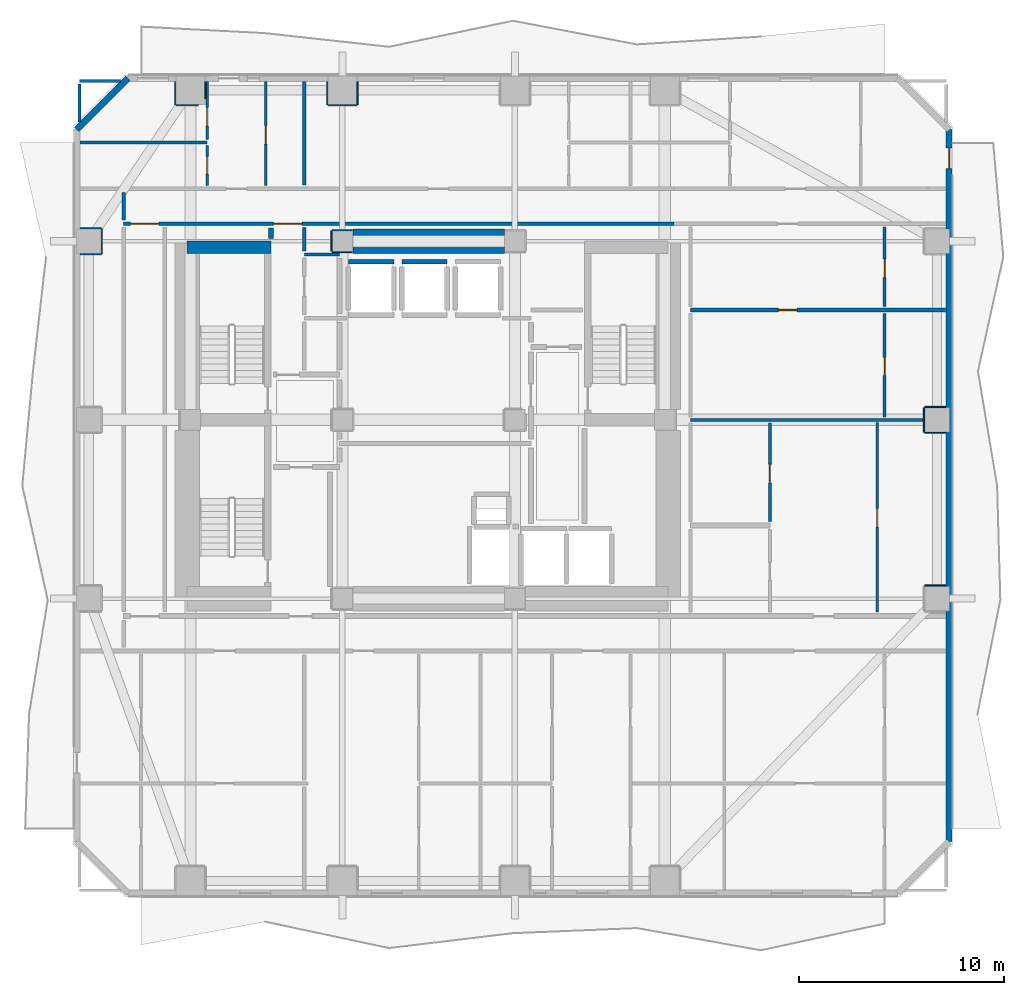
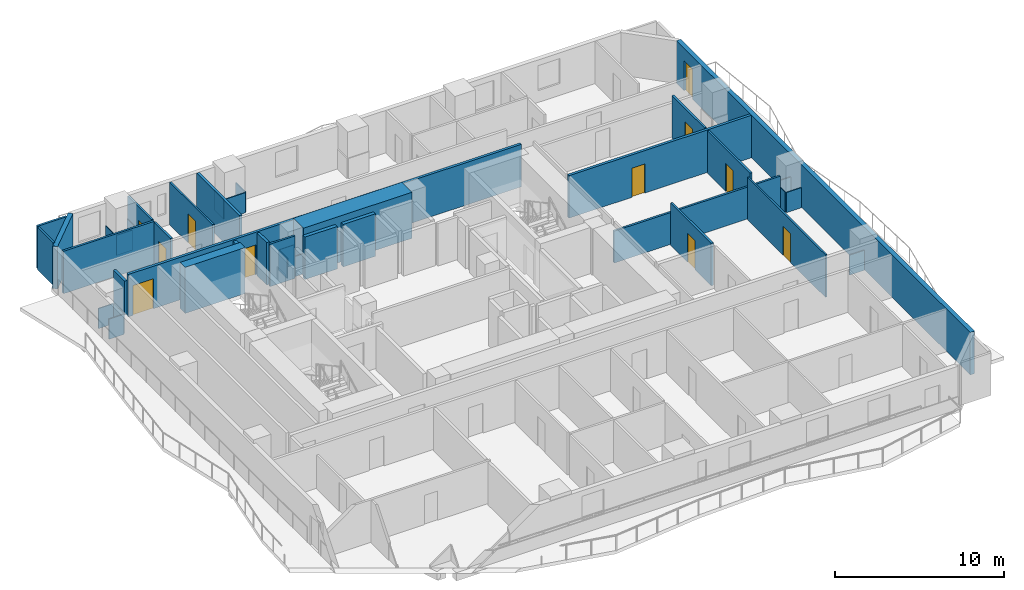
# One storey, part 5 of 10: 40 walls, 11 doors, 11 openings.
"""IFC4 building model written with IfcOpenShell, lengths in metres."""

from ifc_helpers import new_model, si_unit, direction, frame, frame_2d, origin, place, context, subcontext, project, spatial, rectangle, extrude, material, layer, layer_set, type_object, element, fill, save


model = new_model("IFC4")

# Units and contexts
model_context = context("Model", 3, precision=1e-05, world=origin(), true_north=direction((0.0, 1.0)))
body_context = subcontext(model_context, "Body", "Model", "MODEL_VIEW")
ifc_project = project(units=[si_unit("LENGTHUNIT", "METRE"), si_unit("AREAUNIT", "SQUARE_METRE"), si_unit("VOLUMEUNIT", "CUBIC_METRE"), si_unit("PLANEANGLEUNIT", "RADIAN"), si_unit("MASSUNIT", "GRAM", prefix="KILO")], contexts=[model_context])

# Site, building, storey
site_placement = place(None, origin())
site = spatial("IfcSite", under=ifc_project, at=site_placement, CompositionType="ELEMENT")
building_placement = place(site_placement, origin())
building = spatial("IfcBuilding", under=site, at=building_placement, Name="Solanera Arch Residences", CompositionType="ELEMENT")
storey_placement = place(building_placement, frame((0.0, 0.0, 45.239990234375)))
storey = spatial("IfcBuildingStorey", under=building, at=storey_placement, Name="L12", CompositionType="ELEMENT", Elevation=45.239990234375)

# Walls
ifc_material_1 = material(Name="Fire-Rated Gypsum Stud Partition", Category="gypsum")
ifc_layer_1 = layer(ifc_material_1, 0.06005859375)
ifc_layer_set_1 = layer_set([ifc_layer_1], Name="Fire-Rated Gypsum Stud Partition")
wall_type_1 = type_object("IfcWallType", Name="Column Acoustic Furring Wall 60", PredefinedType="PARTITIONING", material=ifc_layer_set_1)
for number, where, z_axis, x_axis, name in (
    (1, (20.300048828125, 38.867919921875, 0.0), (0.0, 0.0, 1.0), (1.0, 0.0, 0.0), "L12 Column Furring 3S"),
    (2, (20.300048828125, 39.931884765625, 0.0), (0.0, 0.0, 1.0), (1.0, 0.0, 0.0), "L12 Column Furring 3N"),
):
    element("IfcWall", number, at=place(storey_placement, frame(where, z_axis=z_axis, x_axis=x_axis)), inside=storey, type_object=wall_type_1, Name=name, PredefinedType="PARTITIONING", context=body_context, shape_type="SweptSolid", body=[
        extrude(rectangle(XDim=0.989990234375, YDim=0.06005859375, at=frame_2d((0.4951171875, 0.0))), origin(), (0.0, 0.0, 1.0), 1.449951171875),
    ])
wall_1_placement = place(storey_placement, frame((20.26806640625, 38.89990234375, 0.0), z_axis=(0.0, 0.0, 1.0), x_axis=(0.0, 1.0, 0.0)))
element("IfcWall", 3, at=wall_1_placement, inside=storey, type_object=wall_type_1, Name="L12 Column Furring 3W", PredefinedType="PARTITIONING", context=body_context, shape_type="SweptSolid", body=[
    extrude(rectangle(XDim=1.0, YDim=0.06005859375, at=frame_2d((0.5, 0.0))), origin(), (0.0, 0.0, 1.0), 1.449951171875),
])
wall_2_placement = place(storey_placement, frame((12.699951171875, 46.01806640625, 0.0), z_axis=(0.0, 0.0, 1.0), x_axis=(1.0, 0.0, 0.0)))
element("IfcWall", 4, at=wall_2_placement, inside=storey, type_object=wall_type_1, Name="L12 Column Furring 10S", PredefinedType="PARTITIONING", context=body_context, shape_type="SweptSolid", body=[
    extrude(rectangle(XDim=1.0859375, YDim=0.06005859375, at=frame_2d((0.54296875, 0.0))), origin(), (0.0, 0.0, 1.0), 1.449951171875),
])
wall_3_placement = place(storey_placement, frame((12.66796875, 46.050048828125, 0.0), z_axis=(0.0, 0.0, 1.0), x_axis=(0.0, 1.0, 0.0)))
element("IfcWall", 5, at=wall_3_placement, inside=storey, type_object=wall_type_1, Name="L12 Column Furring 10W", PredefinedType="PARTITIONING", context=body_context, shape_type="SweptSolid", body=[
    extrude(rectangle(XDim=1.119873046875, YDim=0.06005859375, at=frame_2d((0.56005859375, 0.0))), origin(), (0.0, 0.0, 1.0), 1.449951171875),
])
wall_4_placement = place(storey_placement, frame((14.132080078125, 46.342041015625, 0.0), z_axis=(0.0, 0.0, 1.0), x_axis=(0.0, 1.0, 0.0)))
element("IfcWall", 6, at=wall_4_placement, inside=storey, type_object=wall_type_1, Name="L12 Column Furring 10E", PredefinedType="PARTITIONING", context=body_context, shape_type="SweptSolid", body=[
    extrude(rectangle(XDim=0.827880859375, YDim=0.06005859375, at=frame_2d((0.4140625, 0.0))), origin(), (0.0, 0.0, 1.0), 1.449951171875),
])
wall_5_placement = place(storey_placement, frame((20.10009765625, 46.01806640625, 0.0), z_axis=(0.0, 0.0, 1.0), x_axis=(1.0, 0.0, 0.0)))
element("IfcWall", 7, at=wall_5_placement, inside=storey, type_object=wall_type_1, Name="L12 Column Furring 12S", PredefinedType="PARTITIONING", context=body_context, shape_type="SweptSolid", body=[
    extrude(rectangle(XDim=1.39990234375, YDim=0.06005859375, at=frame_2d((0.699951171875, 0.0))), origin(), (0.0, 0.0, 1.0), 1.449951171875),
])
for number, where, z_axis, x_axis, name in (
    (8, (20.068115234375, 46.050048828125, 0.0), (0.0, 0.0, 1.0), (0.0, 1.0, 0.0), "L12 Column Furring 12W"),
    (9, (21.531982421875, 46.050048828125, 0.0), (0.0, 0.0, 1.0), (0.0, 1.0, 0.0), "L12 Column Furring 12E"),
):
    element("IfcWall", number, at=place(storey_placement, frame(where, z_axis=z_axis, x_axis=x_axis)), inside=storey, type_object=wall_type_1, Name=name, PredefinedType="PARTITIONING", context=body_context, shape_type="SweptSolid", body=[
        extrude(rectangle(XDim=1.119873046875, YDim=0.06005859375, at=frame_2d((0.56005859375, 0.0))), origin(), (0.0, 0.0, 1.0), 1.449951171875),
    ])
for number, where, z_axis, x_axis, name in (
    (10, (49.14990234375, 22.632080078125, 0.0), (0.0, 0.0, 1.0), (1.0, 0.0, 0.0), "L12 Column Furring 18N"),
    (11, (49.14990234375, 30.068115234375, 0.0), (0.0, 0.0, 1.0), (1.0, 0.0, 0.0), "L12 Column Furring 20S"),
    (12, (49.14990234375, 31.33203125, 0.0), (0.0, 0.0, 1.0), (1.0, 0.0, 0.0), "L12 Column Furring 20N"),
):
    element("IfcWall", number, at=place(storey_placement, frame(where, z_axis=z_axis, x_axis=x_axis)), inside=storey, type_object=wall_type_1, Name=name, PredefinedType="PARTITIONING", context=body_context, shape_type="SweptSolid", body=[
        extrude(rectangle(XDim=1.02001953125, YDim=0.06005859375, at=frame_2d((0.510009765625, 0.0))), origin(), (0.0, 0.0, 1.0), 1.449951171875),
    ])
wall_6_placement = place(storey_placement, frame((49.117919921875, 30.10009765625, 0.0), z_axis=(0.0, 0.0, 1.0), x_axis=(0.0, 1.0, 0.0)))
element("IfcWall", 13, at=wall_6_placement, inside=storey, type_object=wall_type_1, Name="L12 Column Furring 20W", PredefinedType="PARTITIONING", context=body_context, shape_type="SweptSolid", body=[
    extrude(rectangle(XDim=1.199951171875, YDim=0.06005859375, at=frame_2d((0.60009765625, 0.0))), origin(), (0.0, 0.0, 1.0), 1.449951171875),
])
for number, where, z_axis, x_axis, name in (
    (14, (8.030029296875, 38.76806640625, 0.0), (0.0, 0.0, 1.0), (1.0, 0.0, 0.0), "L12 Column Furring 21S"),
    (15, (8.030029296875, 40.031982421875, 0.0), (0.0, 0.0, 1.0), (1.0, 0.0, 0.0), "L12 Column Furring 21N"),
):
    element("IfcWall", number, at=place(storey_placement, frame(where, z_axis=z_axis, x_axis=x_axis)), inside=storey, type_object=wall_type_1, Name=name, PredefinedType="PARTITIONING", context=body_context, shape_type="SweptSolid", body=[
        extrude(rectangle(XDim=1.02001953125, YDim=0.06005859375, at=frame_2d((0.510009765625, 0.0))), origin(), (0.0, 0.0, 1.0), 1.449951171875),
    ])
wall_7_placement = place(storey_placement, frame((9.08203125, 38.800048828125, 0.0), z_axis=(0.0, 0.0, 1.0), x_axis=(0.0, 1.0, 0.0)))
element("IfcWall", 16, at=wall_7_placement, inside=storey, type_object=wall_type_1, Name="L12 Column Furring 21E", PredefinedType="PARTITIONING", context=body_context, shape_type="SweptSolid", body=[
    extrude(rectangle(XDim=1.199951171875, YDim=0.06005859375, at=frame_2d((0.60009765625, 0.0))), origin(), (0.0, 0.0, 1.0), 1.449951171875),
])
ifc_material_2 = material(Name="Concrete C55/67 (f'c = 60 MPa)", Category="concrete")
ifc_layer_2 = layer(ifc_material_2, 1.199951171875)
ifc_layer_set_2 = layer_set([ifc_layer_2], Name="Concrete C55/67 (f'c = 60 MPa)")
wall_type_2 = type_object("IfcWallType", Name="Core Shear Wall CW-1200", PredefinedType="SHEAR", material=ifc_layer_set_2)
wall_8_placement = place(storey_placement, frame((21.304931640625, 39.39990234375, 0.0), z_axis=(0.0, 0.0, 1.0), x_axis=(1.0, 0.0, 0.0)))
element("IfcWall", 17, at=wall_8_placement, inside=storey, type_object=wall_type_2, Name="L12 Central North Core Shear Wall", PredefinedType="SHEAR", context=body_context, shape_type="SweptSolid", body=[
    extrude(rectangle(XDim=7.39013671875, YDim=1.199951171875, at=frame_2d((3.695068359375, 0.0))), origin(), (0.0, 0.0, 1.0), 3.320068359375),
])
ifc_material_3 = material(Name="Concrete C40/50 (f'c = 45 MPa)", Category="concrete")
ifc_layer_3 = layer(ifc_material_3, 0.60009765625)
ifc_layer_set_3 = layer_set([ifc_layer_3], Name="Concrete C40/50 (f'c = 45 MPa)")
wall_type_3 = type_object("IfcWallType", Name="Core Shear Wall CW-600", PredefinedType="SHEAR", material=ifc_layer_set_3)
wall_9_placement = place(storey_placement, frame((13.239990234375, 39.10009765625, 0.0), z_axis=(0.0, 0.0, 1.0), x_axis=(1.0, 0.0, 0.0)))
element("IfcWall", 18, at=wall_9_placement, inside=storey, type_object=wall_type_3, Name="L12 North-West Core Shear Wall", PredefinedType="SHEAR", context=body_context, shape_type="SweptSolid", body=[
    extrude(rectangle(XDim=4.080078125, YDim=0.60009765625, at=frame_2d((2.0400390625, 0.0))), origin(), (0.0, 0.0, 1.0), 3.320068359375),
])

# Wall, opening, door
ifc_material_4 = material(Name="Autoclaved Aerated Concrete Blockwork", Category="masonry")
ifc_layer_4 = layer(ifc_material_4, 0.179931640625)
ifc_layer_set_4 = layer_set([ifc_layer_4], Name="Autoclaved Aerated Concrete Blockwork")
wall_type_4 = type_object("IfcWallType", Name="Corridor Fire Partition 180", PredefinedType="PARTITIONING", material=ifc_layer_set_4)
wall_10_placement = place(storey_placement, frame((37.75, 36.050048828125, 0.0), z_axis=(0.0, 0.0, 1.0), x_axis=(1.0, 0.0, 0.0)))
wall_10 = element("IfcWall", 19, at=wall_10_placement, inside=storey, type_object=wall_type_4, Name="L12 Interior Partition H11", PredefinedType="PARTITIONING", context=body_context, shape_type="SweptSolid", body=[
    extrude(rectangle(XDim=12.423095703125, YDim=0.179931640625, at=frame_2d((6.21142578125, 0.0))), origin(), (0.0, 0.0, 1.0), 3.06005859375),
])
opening_1_placement = place(wall_10_placement, frame((4.27490234375, 0.0, 0.0)))
opening_1 = element("IfcOpeningElement", 20, at=opening_1_placement, cuts=wall_10, Name="Opening DI-02", PredefinedType="OPENING", context=body_context, shape_type="SweptSolid", body=[
    extrude(rectangle(XDim=0.89990234375, YDim=2.10009765625, at=frame_2d((0.449951171875, 1.050048828125))), frame((0.0, 0.10009765625, 0.0), z_axis=(0.0, -1.0, 0.0), x_axis=(1.0, 0.0, 0.0)), (0.0, 0.0, 1.0), 0.1999),
])
ifc_material_5 = material(Name="Fire-Rated Architectural Hardwood", Category="wood")
door_type_1 = type_object("IfcDoorType", Name="Suite Room Swing Door DI-02", OperationType="NOTDEFINED", PredefinedType="DOOR", material=ifc_material_5)
door_1_placement = place(opening_1_placement, origin())
door_1 = element("IfcDoor", 21, at=door_1_placement, inside=storey, type_object=door_type_1, Name="DR-L12-IN-045", OperationType="SINGLE_SWING_RIGHT", OverallHeight=2.10009765625, OverallWidth=0.89990234375, PredefinedType="DOOR", context=body_context, shape_type="SweptSolid", body=[
    extrude(rectangle(XDim=0.89990234375, YDim=2.10009765625, at=frame_2d((0.449951171875, 1.050048828125))), frame((0.0, 0.02490234375, 0.0), z_axis=(0.0, -1.0, 0.0), x_axis=(1.0, 0.0, 0.0)), (0.0, 0.0, 1.0), 0.050048828125),
])
fill(opening_1, door_1)

# Wall, openings, doors
wall_11_placement = place(storey_placement, frame((10.14990234375, 40.25, 0.0), z_axis=(0.0, 0.0, 1.0), x_axis=(1.0, 0.0, 0.0)))
wall_11 = element("IfcWall", 22, at=wall_11_placement, inside=storey, type_object=wall_type_4, Name="L12 Interior Partition H12 1", PredefinedType="PARTITIONING", context=body_context, shape_type="SweptSolid", body=[
    extrude(rectangle(XDim=26.781982421875, YDim=0.179931640625, at=frame_2d((13.39111328125, 0.0))), origin(), (0.0, 0.0, 1.0), 3.06005859375),
])
opening_2_placement = place(wall_11_placement, frame((7.284912109375, 0.0, 0.0)))
opening_2 = element("IfcOpeningElement", 23, at=opening_2_placement, cuts=wall_11, Name="Opening DF-03", PredefinedType="OPENING", context=body_context, shape_type="SweptSolid", body=[
    extrude(rectangle(XDim=1.39990234375, YDim=2.14990234375, at=frame_2d((0.699951171875, 1.074951171875))), frame((0.0, 0.10009765625, 0.0), z_axis=(0.0, -1.0, 0.0), x_axis=(1.0, 0.0, 0.0)), (0.0, 0.0, 1.0), 0.1999),
])
opening_3_placement = place(wall_11_placement, frame((0.323974609375, 0.0, 0.0)))
opening_3 = element("IfcOpeningElement", 24, at=opening_3_placement, cuts=wall_11, Name="Opening DF-03", PredefinedType="OPENING", context=body_context, shape_type="SweptSolid", body=[
    extrude(rectangle(XDim=1.39990234375, YDim=2.14990234375, at=frame_2d((0.699951171875, 1.074951171875))), frame((0.0, 0.10009765625, 0.0), z_axis=(0.0, -1.0, 0.0), x_axis=(1.0, 0.0, 0.0)), (0.0, 0.0, 1.0), 0.1999),
])
ifc_material_6 = material(Name="Fire-Rated Architectural Hardwood", Category="wood")
door_type_2 = type_object("IfcDoorType", Name="Corridor Smoke Door DF-03", OperationType="NOTDEFINED", PredefinedType="DOOR", material=ifc_material_6)
door_2_placement = place(opening_2_placement, origin())
door_2 = element("IfcDoor", 25, at=door_2_placement, inside=storey, type_object=door_type_2, Name="DR-L12-IN-009", OperationType="SINGLE_SWING_RIGHT", OverallHeight=2.14990234375, OverallWidth=1.39990234375, PredefinedType="DOOR", context=body_context, shape_type="SweptSolid", body=[
    extrude(rectangle(XDim=1.39990234375, YDim=2.14990234375, at=frame_2d((0.699951171875, 1.074951171875))), frame((0.0, 0.02490234375, 0.0), z_axis=(0.0, -1.0, 0.0), x_axis=(1.0, 0.0, 0.0)), (0.0, 0.0, 1.0), 0.050048828125),
])
fill(opening_2, door_2)
door_3_placement = place(opening_3_placement, origin())
door_3 = element("IfcDoor", 26, at=door_3_placement, inside=storey, type_object=door_type_2, Name="DR-L12-IN-011", OperationType="SINGLE_SWING_RIGHT", OverallHeight=2.14990234375, OverallWidth=1.39990234375, PredefinedType="DOOR", context=body_context, shape_type="SweptSolid", body=[
    extrude(rectangle(XDim=1.39990234375, YDim=2.14990234375, at=frame_2d((0.699951171875, 1.074951171875))), frame((0.0, 0.02490234375, 0.0), z_axis=(0.0, -1.0, 0.0), x_axis=(1.0, 0.0, 0.0)), (0.0, 0.0, 1.0), 0.050048828125),
])
fill(opening_3, door_3)

# Walls
wall_12_placement = place(storey_placement, frame((10.14990234375, 40.43798828125, 0.0), z_axis=(0.0, 0.0, 1.0), x_axis=(0.0, 1.0, 0.0)))
element("IfcWall", 27, at=wall_12_placement, inside=storey, type_object=wall_type_4, Name="L12 Interior Partition V6 3", PredefinedType="PARTITIONING", context=body_context, shape_type="SweptSolid", body=[
    extrude(rectangle(XDim=1.323974609375, YDim=0.179931640625, at=frame_2d((0.662109375, 0.0))), origin(), (0.0, 0.0, 1.0), 2.445068359375),
])
wall_13_placement = place(storey_placement, frame((18.949951171875, 38.91796875, 0.0), z_axis=(0.0, 0.0, 1.0), x_axis=(0.0, 1.0, 0.0)))
element("IfcWall", 28, at=wall_13_placement, inside=storey, type_object=wall_type_4, Name="L12 Interior Partition V9 3", PredefinedType="PARTITIONING", context=body_context, shape_type="SweptSolid", body=[
    extrude(rectangle(XDim=1.14404296875, YDim=0.179931640625, at=frame_2d((0.572021484375, 0.0))), origin(), (0.0, 0.0, 1.0), 3.06005859375),
])
wall_14_placement = place(storey_placement, frame((18.949951171875, 42.137939453125, 0.0), z_axis=(0.0, 0.0, 1.0), x_axis=(0.0, 1.0, 0.0)))
element("IfcWall", 29, at=wall_14_placement, inside=storey, type_object=wall_type_4, Name="L12 Interior Partition V10", PredefinedType="PARTITIONING", context=body_context, shape_type="SweptSolid", body=[
    extrude(rectangle(XDim=5.03515625, YDim=0.179931640625, at=frame_2d((2.517578125, 0.0))), origin(), (0.0, 0.0, 1.0), 3.06005859375),
])
ifc_material_7 = material(Name="Precast Concrete C35/45", Category="concrete")
ifc_layer_5 = layer(ifc_material_7, 0.300048828125)
ifc_layer_set_5 = layer_set([ifc_layer_5], Name="Precast Concrete C35/45")
wall_type_5 = type_object("IfcWallType", Name="Exterior Wall Precast Masonry-Frame 300", PredefinedType="STANDARD", material=ifc_layer_set_5)
wall_15_placement = place(storey_placement, frame((7.864990234375, 44.8349609375, 0.0), z_axis=(0.0, 0.0, 1.0), x_axis=(0.707106781187, 0.707106781187, 0.0)))
element("IfcWall", 30, at=wall_15_placement, inside=storey, type_object=wall_type_5, Name="L12 Tower Exterior Precast Masonry-Frame Wall CH1", PredefinedType="STANDARD", context=body_context, shape_type="SweptSolid", body=[
    extrude(rectangle(XDim=3.53564453125, YDim=0.300048828125, at=frame_2d((1.767822265625, 0.0))), origin(), (0.0, 0.0, 1.0), 3.06005859375),
])

# Wall, opening, door
wall_16_placement = place(storey_placement, frame((50.3349609375, 44.8349609375, 0.0), z_axis=(0.0, 0.0, 1.0), x_axis=(0.0, -1.0, 0.0)))
wall_16 = element("IfcWall", 31, at=wall_16_placement, inside=storey, type_object=wall_type_5, Name="L12 Tower Exterior Precast Masonry-Frame Wall E", PredefinedType="STANDARD", context=body_context, shape_type="SweptSolid", body=[
    extrude(rectangle(XDim=34.669921875, YDim=0.300048828125, at=frame_2d((17.3349609375, 0.0))), origin(), (0.0, 0.0, 1.0), 3.06005859375),
])
opening_4_placement = place(wall_16_placement, frame((0.90087890625, 0.0, 0.0)))
opening_4 = element("IfcOpeningElement", 32, at=opening_4_placement, cuts=wall_16, Name="Opening DB-01", PredefinedType="OPENING", context=body_context, shape_type="SweptSolid", body=[
    extrude(rectangle(XDim=1.0, YDim=2.14990234375, at=frame_2d((0.5, 1.074951171875))), frame((0.0, 0.159912109375, 0.0), z_axis=(0.0, -1.0, 0.0), x_axis=(1.0, 0.0, 0.0)), (0.0, 0.0, 1.0), 0.32),
])
ifc_material_8 = material(Name="Anodised Aluminium Alloy 6063-T6", Category="aluminium")
door_type_3 = type_object("IfcDoorType", Name="Glazed Balcony Swing Door DB-01", OperationType="NOTDEFINED", PredefinedType="DOOR", material=ifc_material_8)
door_4_placement = place(opening_4_placement, origin())
door_4 = element("IfcDoor", 33, at=door_4_placement, inside=storey, type_object=door_type_3, Name="DR-L12-OUT-03", OperationType="SINGLE_SWING_RIGHT", OverallHeight=2.14990234375, OverallWidth=1.0, PredefinedType="DOOR", context=body_context, shape_type="SweptSolid", body=[
    extrude(rectangle(XDim=1.0, YDim=2.14990234375, at=frame_2d((0.5, 1.074951171875))), frame((0.0, 0.02490234375, 0.0), z_axis=(0.0, -1.0, 0.0), x_axis=(1.0, 0.0, 0.0)), (0.0, 0.0, 1.0), 0.050048828125),
])
fill(opening_4, door_4)

# Walls
ifc_material_9 = material(Name="Autoclaved Aerated Concrete Blockwork", Category="masonry")
ifc_layer_6 = layer(ifc_material_9, 0.239990234375)
ifc_layer_set_6 = layer_set([ifc_layer_6], Name="Autoclaved Aerated Concrete Blockwork")
wall_type_6 = type_object("IfcWallType", Name="Shaft Wall Fire-Rated 240", PredefinedType="PARTITIONING", material=ifc_layer_set_6)
for number, where, z_axis, x_axis, name in (
    (34, (21.10009765625, 38.39990234375, 0.0), (0.0, 0.0, 1.0), (1.0, 0.0, 0.0), "L12 Lift PL-L1 Hoistway Wall N"),
    (35, (23.699951171875, 38.39990234375, 0.0), (0.0, 0.0, 1.0), (1.0, 0.0, 0.0), "L12 Lift PL-L2 Hoistway Wall N"),
):
    element("IfcWall", number, at=place(storey_placement, frame(where, z_axis=z_axis, x_axis=x_axis)), inside=storey, type_object=wall_type_6, Name=name, PredefinedType="PARTITIONING", context=body_context, shape_type="SweptSolid", body=[
        extrude(rectangle(XDim=2.199951171875, YDim=0.239990234375, at=frame_2d((1.10009765625, 0.0))), origin(), (0.0, 0.0, 1.0), 3.06005859375),
    ])
wall_17_placement = place(storey_placement, frame((17.320068359375, 39.530029296875, 0.0), z_axis=(0.0, 0.0, 1.0), x_axis=(0.0, 1.0, 0.0)))
element("IfcWall", 36, at=wall_17_placement, inside=storey, type_object=wall_type_6, Name="L12 Interior Partition V1", PredefinedType="PARTITIONING", context=body_context, shape_type="SweptSolid", body=[
    extrude(rectangle(XDim=0.501953125, YDim=0.239990234375, at=frame_2d((0.2509765625, 0.0))), origin(), (0.0, 0.0, 1.0), 3.06005859375),
])

# Wall, opening, door
ifc_material_10 = material(Name="Fire-Rated Gypsum Stud Partition", Category="gypsum")
ifc_layer_7 = layer(ifc_material_10, 0.1201171875)
ifc_layer_set_7 = layer_set([ifc_layer_7], Name="Fire-Rated Gypsum Stud Partition")
wall_type_7 = type_object("IfcWallType", Name="Unit Drywall Partition 120", PredefinedType="PARTITIONING", material=ifc_layer_set_7)
wall_18_placement = place(storey_placement, frame((17.070068359375, 42.10791015625, 0.0), z_axis=(0.0, 0.0, 1.0), x_axis=(0.0, 1.0, 0.0)))
wall_18 = element("IfcWall", 37, at=wall_18_placement, inside=storey, type_object=wall_type_7, Name="L12 Interior Partition V27", PredefinedType="PARTITIONING", context=body_context, shape_type="SweptSolid", body=[
    extrude(rectangle(XDim=5.065185546875, YDim=0.1201171875, at=frame_2d((2.53271484375, 0.0))), origin(), (0.0, 0.0, 1.0), 3.06005859375),
])
opening_5_placement = place(wall_18_placement, frame((2.01708984375, 0.0, 0.0)))
opening_5 = element("IfcOpeningElement", 38, at=opening_5_placement, cuts=wall_18, Name="Opening DI-02", PredefinedType="OPENING", context=body_context, shape_type="SweptSolid", body=[
    extrude(rectangle(XDim=0.89990234375, YDim=2.10009765625, at=frame_2d((0.449951171875, 1.050048828125))), frame((0.0, 0.070068359375, 0.0), z_axis=(0.0, -1.0, 0.0), x_axis=(1.0, 0.0, 0.0)), (0.0, 0.0, 1.0), 0.1401),
])
door_5_placement = place(opening_5_placement, origin())
door_5 = element("IfcDoor", 39, at=door_5_placement, inside=storey, type_object=door_type_1, Name="DR-L12-IN-032", OperationType="SINGLE_SWING_LEFT", OverallHeight=2.10009765625, OverallWidth=0.89990234375, PredefinedType="DOOR", context=body_context, shape_type="SweptSolid", body=[
    extrude(rectangle(XDim=0.89990234375, YDim=2.10009765625, at=frame_2d((0.449951171875, 1.050048828125))), frame((0.0, 0.02490234375, 0.0), z_axis=(0.0, -1.0, 0.0), x_axis=(1.0, 0.0, 0.0)), (0.0, 0.0, 1.0), 0.050048828125),
])
fill(opening_5, door_5)

wall_19_placement = place(storey_placement, frame((46.839111328125, 21.337890625, 0.0), z_axis=(0.0, 0.0, 1.0), x_axis=(0.0, 1.0, 0.0)))
wall_19 = element("IfcWall", 40, at=wall_19_placement, inside=storey, type_object=wall_type_7, Name="L12 Interior Partition V30", PredefinedType="PARTITIONING", context=body_context, shape_type="SweptSolid", body=[
    extrude(rectangle(XDim=9.22412109375, YDim=0.1201171875, at=frame_2d((4.612060546875, 0.0))), origin(), (0.0, 0.0, 1.0), 3.06005859375),
])
opening_6_placement = place(wall_19_placement, frame((4.136962890625, 0.0, 0.0)))
opening_6 = element("IfcOpeningElement", 41, at=opening_6_placement, cuts=wall_19, Name="Opening DI-02", PredefinedType="OPENING", context=body_context, shape_type="SweptSolid", body=[
    extrude(rectangle(XDim=0.89990234375, YDim=2.10009765625, at=frame_2d((0.449951171875, 1.050048828125))), frame((0.0, 0.070068359375, 0.0), z_axis=(0.0, -1.0, 0.0), x_axis=(1.0, 0.0, 0.0)), (0.0, 0.0, 1.0), 0.1401),
])
door_6_placement = place(opening_6_placement, origin())
door_6 = element("IfcDoor", 42, at=door_6_placement, inside=storey, type_object=door_type_1, Name="DR-L12-IN-043", OperationType="SINGLE_SWING_RIGHT", OverallHeight=2.10009765625, OverallWidth=0.89990234375, PredefinedType="DOOR", context=body_context, shape_type="SweptSolid", body=[
    extrude(rectangle(XDim=0.89990234375, YDim=2.10009765625, at=frame_2d((0.449951171875, 1.050048828125))), frame((0.0, 0.02490234375, 0.0), z_axis=(0.0, -1.0, 0.0), x_axis=(1.0, 0.0, 0.0)), (0.0, 0.0, 1.0), 0.050048828125),
])
fill(opening_6, door_6)

# Walls
ifc_material_11 = material(Name="Autoclaved Aerated Concrete Blockwork", Category="masonry")
ifc_layer_8 = layer(ifc_material_11, 0.139892578125)
ifc_layer_set_8 = layer_set([ifc_layer_8], Name="Autoclaved Aerated Concrete Blockwork")
wall_type_8 = type_object("IfcWallType", Name="Wet-Room Partition 140", PredefinedType="PARTITIONING", material=ifc_layer_set_8)
wall_20_placement = place(storey_placement, frame((37.75, 30.699951171875, 0.0), z_axis=(0.0, 0.0, 1.0), x_axis=(1.0, 0.0, 0.0)))
element("IfcWall", 43, at=wall_20_placement, inside=storey, type_object=wall_type_8, Name="L12 Interior Partition H18", PredefinedType="PARTITIONING", context=body_context, shape_type="SweptSolid", body=[
    extrude(rectangle(XDim=11.318115234375, YDim=0.139892578125, at=frame_2d((5.6591796875, 0.0))), origin(), (0.0, 0.0, 1.0), 2.294921875),
])
wall_21_placement = place(storey_placement, frame((18.949951171875, 38.75, 0.0), z_axis=(0.0, 0.0, 1.0), x_axis=(1.0, 0.0, 0.0)))
element("IfcWall", 44, at=wall_21_placement, inside=storey, type_object=wall_type_8, Name="L12 Interior Partition H19", PredefinedType="PARTITIONING", context=body_context, shape_type="SweptSolid", body=[
    extrude(rectangle(XDim=1.699951171875, YDim=0.139892578125, at=frame_2d((0.85009765625, 0.0))), origin(), (0.0, 0.0, 1.0), 3.06005859375),
])
wall_22_placement = place(storey_placement, frame((8.027099609375, 44.2080078125, 0.0), z_axis=(0.0, 0.0, 1.0), x_axis=(1.0, 0.0, 0.0)))
element("IfcWall", 45, at=wall_22_placement, inside=storey, type_object=wall_type_8, Name="L12 Interior Partition H20", PredefinedType="PARTITIONING", context=body_context, shape_type="SweptSolid", body=[
    extrude(rectangle(XDim=6.19287109375, YDim=0.139892578125, at=frame_2d((3.096435546875, 0.0))), origin(), (0.0, 0.0, 1.0), 3.06005859375),
])
wall_23_placement = place(storey_placement, frame((8.0, 47.199951171875, 0.0), z_axis=(0.0, 0.0, 1.0), x_axis=(1.0, 0.0, 0.0)))
element("IfcWall", 46, at=wall_23_placement, inside=storey, type_object=wall_type_8, Name="L12 Interior Partition H22 1", PredefinedType="PARTITIONING", context=body_context, shape_type="SweptSolid", body=[
    extrude(rectangle(XDim=2.0009765625, YDim=0.139892578125, at=frame_2d((1.00048828125, 0.0))), origin(), (0.0, 0.0, 1.0), 3.06005859375),
])
wall_24_placement = place(storey_placement, frame((8.0, 45.198974609375, 0.0), z_axis=(0.0, 0.0, 1.0), x_axis=(0.0, 1.0, 0.0)))
element("IfcWall", 47, at=wall_24_placement, inside=storey, type_object=wall_type_8, Name="L12 Interior Partition V13", PredefinedType="PARTITIONING", context=body_context, shape_type="SweptSolid", body=[
    extrude(rectangle(XDim=1.85302734375, YDim=0.139892578125, at=frame_2d((0.926513671875, 0.0))), origin(), (0.0, 0.0, 1.0), 3.06005859375),
])

# Wall, opening, door
wall_25_placement = place(storey_placement, frame((14.219970703125, 42.117919921875, 0.0), z_axis=(0.0, 0.0, 1.0), x_axis=(0.0, 1.0, 0.0)))
wall_25 = element("IfcWall", 48, at=wall_25_placement, inside=storey, type_object=wall_type_8, Name="L12 Interior Partition V15 1", PredefinedType="PARTITIONING", context=body_context, shape_type="SweptSolid", body=[
    extrude(rectangle(XDim=1.942138671875, YDim=0.139892578125, at=frame_2d((0.97119140625, 0.0))), origin(), (0.0, 0.0, 1.0), 3.06005859375),
])
opening_7_placement = place(wall_25_placement, frame((0.5439453125, 0.0, 0.0)))
opening_7 = element("IfcOpeningElement", 49, at=opening_7_placement, cuts=wall_25, Name="Opening DI-05", PredefinedType="OPENING", context=body_context, shape_type="SweptSolid", body=[
    extrude(rectangle(XDim=0.860107421875, YDim=2.02001953125, at=frame_2d((0.43017578125, 1.010009765625))), frame((0.0, 0.079833984375, 0.0), z_axis=(0.0, -1.0, 0.0), x_axis=(1.0, 0.0, 0.0)), (0.0, 0.0, 1.0), 0.1599),
])
ifc_material_12 = material(Name="Fire-Rated Architectural Hardwood", Category="wood")
door_type_4 = type_object("IfcDoorType", Name="Bathroom Swing Door DI-05", OperationType="NOTDEFINED", PredefinedType="DOOR", material=ifc_material_12)
door_7_placement = place(opening_7_placement, origin())
door_7 = element("IfcDoor", 50, at=door_7_placement, inside=storey, type_object=door_type_4, Name="DR-L12-IN-030", OperationType="SINGLE_SWING_LEFT", OverallHeight=2.02001953125, OverallWidth=0.860107421875, PredefinedType="DOOR", context=body_context, shape_type="SweptSolid", body=[
    extrude(rectangle(XDim=0.860107421875, YDim=2.02001953125, at=frame_2d((0.43017578125, 1.010009765625))), frame((0.0, 0.02490234375, 0.0), z_axis=(0.0, -1.0, 0.0), x_axis=(1.0, 0.0, 0.0)), (0.0, 0.0, 1.0), 0.050048828125),
])
fill(opening_7, door_7)

wall_26_placement = place(storey_placement, frame((14.219970703125, 44.35595703125, 0.0), z_axis=(0.0, 0.0, 1.0), x_axis=(0.0, 1.0, 0.0)))
wall_26 = element("IfcWall", 51, at=wall_26_placement, inside=storey, type_object=wall_type_8, Name="L12 Interior Partition V15 2", PredefinedType="PARTITIONING", context=body_context, shape_type="SweptSolid", body=[
    extrude(rectangle(XDim=2.817138671875, YDim=0.139892578125, at=frame_2d((1.40869140625, 0.0))), origin(), (0.0, 0.0, 1.0), 3.06005859375),
])
opening_8_placement = place(wall_26_placement, frame((0.64501953125, 0.0, 0.0)))
opening_8 = element("IfcOpeningElement", 52, at=opening_8_placement, cuts=wall_26, Name="Opening DI-03", PredefinedType="OPENING", context=body_context, shape_type="SweptSolid", body=[
    extrude(rectangle(XDim=0.89990234375, YDim=2.10009765625, at=frame_2d((0.449951171875, 1.050048828125))), frame((0.0, 0.079833984375, 0.0), z_axis=(0.0, -1.0, 0.0), x_axis=(1.0, 0.0, 0.0)), (0.0, 0.0, 1.0), 0.1599),
])
ifc_material_13 = material(Name="Fire-Rated Architectural Hardwood", Category="wood")
door_type_5 = type_object("IfcDoorType", Name="Bedroom Swing Door DI-03", OperationType="NOTDEFINED", PredefinedType="DOOR", material=ifc_material_13)
door_8_placement = place(opening_8_placement, origin())
door_8 = element("IfcDoor", 53, at=door_8_placement, inside=storey, type_object=door_type_5, Name="DR-L12-IN-031", OperationType="SINGLE_SWING_RIGHT", OverallHeight=2.10009765625, OverallWidth=0.89990234375, PredefinedType="DOOR", context=body_context, shape_type="SweptSolid", body=[
    extrude(rectangle(XDim=0.89990234375, YDim=2.10009765625, at=frame_2d((0.449951171875, 1.050048828125))), frame((0.0, 0.02490234375, 0.0), z_axis=(0.0, -1.0, 0.0), x_axis=(1.0, 0.0, 0.0)), (0.0, 0.0, 1.0), 0.050048828125),
])
fill(opening_8, door_8)

wall_27_placement = place(storey_placement, frame((41.610107421875, 25.748046875, 0.0), z_axis=(0.0, 0.0, 1.0), x_axis=(0.0, 1.0, 0.0)))
wall_27 = element("IfcWall", 54, at=wall_27_placement, inside=storey, type_object=wall_type_8, Name="L12 Interior Partition V24 2", PredefinedType="PARTITIONING", context=body_context, shape_type="SweptSolid", body=[
    extrude(rectangle(XDim=4.803955078125, YDim=0.139892578125, at=frame_2d((2.40185546875, 0.0))), origin(), (0.0, 0.0, 1.0), 3.06005859375),
])
opening_9_placement = place(wall_27_placement, frame((1.888916015625, 0.0, 0.0)))
opening_9 = element("IfcOpeningElement", 55, at=opening_9_placement, cuts=wall_27, Name="Opening DI-03", PredefinedType="OPENING", context=body_context, shape_type="SweptSolid", body=[
    extrude(rectangle(XDim=0.89990234375, YDim=2.10009765625, at=frame_2d((0.449951171875, 1.050048828125))), frame((0.0, 0.079833984375, 0.0), z_axis=(0.0, -1.0, 0.0), x_axis=(1.0, 0.0, 0.0)), (0.0, 0.0, 1.0), 0.1599),
])
door_9_placement = place(opening_9_placement, origin())
door_9 = element("IfcDoor", 56, at=door_9_placement, inside=storey, type_object=door_type_5, Name="DR-L12-IN-042", OperationType="SINGLE_SWING_LEFT", OverallHeight=2.10009765625, OverallWidth=0.89990234375, PredefinedType="DOOR", context=body_context, shape_type="SweptSolid", body=[
    extrude(rectangle(XDim=0.89990234375, YDim=2.10009765625, at=frame_2d((0.449951171875, 1.050048828125))), frame((0.0, 0.02490234375, 0.0), z_axis=(0.0, -1.0, 0.0), x_axis=(1.0, 0.0, 0.0)), (0.0, 0.0, 1.0), 0.050048828125),
])
fill(opening_9, door_9)

wall_28_placement = place(storey_placement, frame((47.199951171875, 30.847900390625, 0.0), z_axis=(0.0, 0.0, 1.0), x_axis=(0.0, 1.0, 0.0)))
wall_28 = element("IfcWall", 57, at=wall_28_placement, inside=storey, type_object=wall_type_8, Name="L12 Interior Partition V26 1", PredefinedType="PARTITIONING", context=body_context, shape_type="SweptSolid", body=[
    extrude(rectangle(XDim=5.0341796875, YDim=0.139892578125, at=frame_2d((2.51708984375, 0.0))), origin(), (0.0, 0.0, 1.0), 3.06005859375),
])
opening_10_placement = place(wall_28_placement, frame((2.02197265625, 0.0, 0.0)))
opening_10 = element("IfcOpeningElement", 58, at=opening_10_placement, cuts=wall_28, Name="Opening DI-05", PredefinedType="OPENING", context=body_context, shape_type="SweptSolid", body=[
    extrude(rectangle(XDim=0.860107421875, YDim=2.02001953125, at=frame_2d((0.43017578125, 1.010009765625))), frame((0.0, 0.079833984375, 0.0), z_axis=(0.0, -1.0, 0.0), x_axis=(1.0, 0.0, 0.0)), (0.0, 0.0, 1.0), 0.1599),
])
door_10_placement = place(opening_10_placement, origin())
door_10 = element("IfcDoor", 59, at=door_10_placement, inside=storey, type_object=door_type_4, Name="DR-L12-IN-047", OperationType="SINGLE_SWING_RIGHT", OverallHeight=2.02001953125, OverallWidth=0.860107421875, PredefinedType="DOOR", context=body_context, shape_type="SweptSolid", body=[
    extrude(rectangle(XDim=0.860107421875, YDim=2.02001953125, at=frame_2d((0.43017578125, 1.010009765625))), frame((0.0, 0.02490234375, 0.0), z_axis=(0.0, -1.0, 0.0), x_axis=(1.0, 0.0, 0.0)), (0.0, 0.0, 1.0), 0.050048828125),
])
fill(opening_10, door_10)

wall_29_placement = place(storey_placement, frame((47.199951171875, 36.218017578125, 0.0), z_axis=(0.0, 0.0, 1.0), x_axis=(0.0, 1.0, 0.0)))
wall_29 = element("IfcWall", 60, at=wall_29_placement, inside=storey, type_object=wall_type_8, Name="L12 Interior Partition V26 2", PredefinedType="PARTITIONING", context=body_context, shape_type="SweptSolid", body=[
    extrude(rectangle(XDim=3.864013671875, YDim=0.139892578125, at=frame_2d((1.93212890625, 0.0))), origin(), (0.0, 0.0, 1.0), 3.06005859375),
])
opening_11_placement = place(wall_29_placement, frame((1.406982421875, 0.0, 0.0)))
opening_11 = element("IfcOpeningElement", 61, at=opening_11_placement, cuts=wall_29, Name="Opening DI-02", PredefinedType="OPENING", context=body_context, shape_type="SweptSolid", body=[
    extrude(rectangle(XDim=0.89990234375, YDim=2.10009765625, at=frame_2d((0.449951171875, 1.050048828125))), frame((0.0, 0.079833984375, 0.0), z_axis=(0.0, -1.0, 0.0), x_axis=(1.0, 0.0, 0.0)), (0.0, 0.0, 1.0), 0.1599),
])
door_11_placement = place(opening_11_placement, origin())
door_11 = element("IfcDoor", 62, at=door_11_placement, inside=storey, type_object=door_type_1, Name="DR-L12-IN-046", OperationType="SINGLE_SWING_LEFT", OverallHeight=2.10009765625, OverallWidth=0.89990234375, PredefinedType="DOOR", context=body_context, shape_type="SweptSolid", body=[
    extrude(rectangle(XDim=0.89990234375, YDim=2.10009765625, at=frame_2d((0.449951171875, 1.050048828125))), frame((0.0, 0.02490234375, 0.0), z_axis=(0.0, -1.0, 0.0), x_axis=(1.0, 0.0, 0.0)), (0.0, 0.0, 1.0), 0.050048828125),
])
fill(opening_11, door_11)

save(model, "model.ifc")
